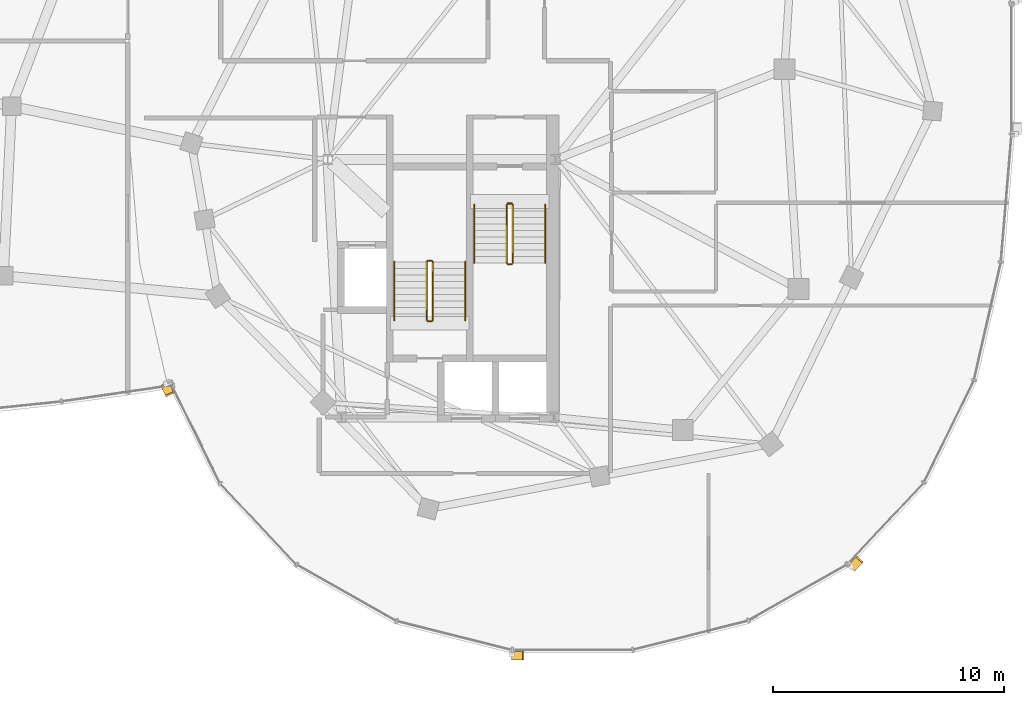
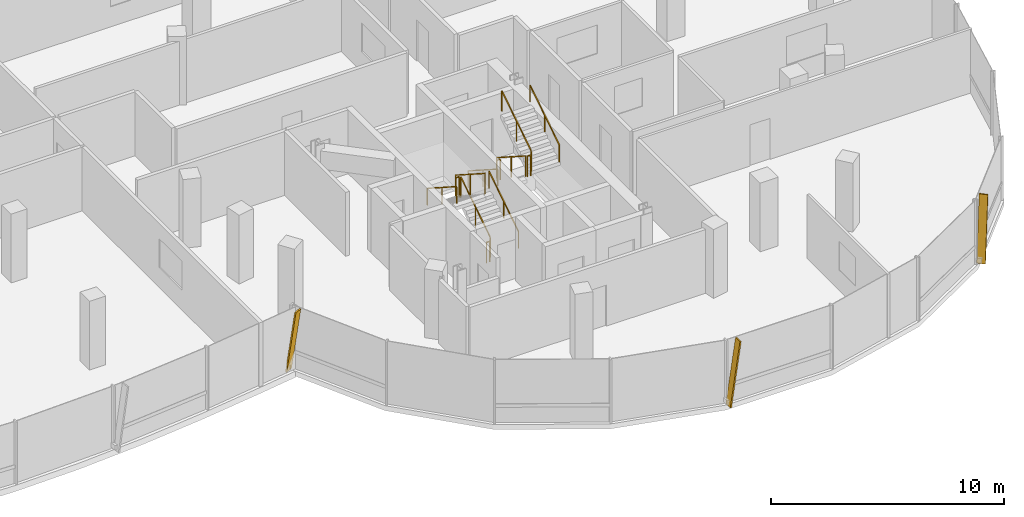
# One storey, part 25 of 26: 12 railings, 3 shading devices.
"""IFC4 building model written with IfcOpenShell, lengths in metres."""

import ifcopenshell
import ifcopenshell.guid

model = None  # the IFC model being written
_history = None  # IfcOwnerHistory: only IFC2X3 demands one
_inside = {}  # id of a spatial element -> (the spatial element, [elements in it])
_under = {}  # id of a project, library or spatial element -> (it, [spatial elements below it])
_declared = {}  # id of a project -> (the project, [libraries it declares])
_typed = {}  # id of a type object -> (the type object, [elements of that type])
_made_of = {}  # id of a material, layer set ... -> (it, [elements and type objects made of it])


def new_model(schema):
    """Start an empty IFC model of exactly this schema.

    Asked for "IFC4X3", IfcOpenShell would pick the latest addendum, in which some entities
    have other attributes; the version numbers below select the first issue.
    IFC2X3 requires an IfcOwnerHistory on every rooted entity: one is made here for all.
    """
    global model, _history
    if schema == "IFC4X3":
        model = ifcopenshell.file(schema_version=(4, 3, 0, 0))
    else:
        model = ifcopenshell.file(schema=schema)
    _inside.clear()
    _under.clear()
    _declared.clear()
    _typed.clear()
    _made_of.clear()
    _history = None
    if model.schema == "IFC2X3":
        org = make("IfcOrganization", Name="unknown")
        user = make(
            "IfcPersonAndOrganization",
            ThePerson=make("IfcPerson", FamilyName="unknown"),
            TheOrganization=org,
        )
        app = make(
            "IfcApplication",
            ApplicationDeveloper=org,
            Version="unknown",
            ApplicationFullName="unknown",
            ApplicationIdentifier="unknown",
        )
        _history = make(
            "IfcOwnerHistory",
            OwningUser=user,
            OwningApplication=app,
            ChangeAction="ADDED",
            CreationDate=0,
        )
    return model


def make(cls, **values):
    """One entity of the class cls with the attributes given. An attribute that is None is left unset."""
    return model.create_entity(
        cls, **{name: value for name, value in values.items() if value is not None}
    )


def rooted(cls, **values):
    """An entity with a GlobalId (a new one), such as an element, a storey or a relation."""
    return make(cls, GlobalId=ifcopenshell.guid.new(), OwnerHistory=_history, **values)


def si_unit(unit_type, name, prefix=None):
    """IfcSIUnit, for example si_unit("LENGTHUNIT", "METRE", prefix="MILLI")."""
    return make("IfcSIUnit", UnitType=unit_type, Prefix=prefix, Name=name)


def assignment(units):
    """IfcUnitAssignment: the units of a project."""
    return None if units is None else make("IfcUnitAssignment", Units=units)


def point(xyz):
    """IfcCartesianPoint."""
    return None if xyz is None else make("IfcCartesianPoint", Coordinates=xyz)


def direction(xyz):
    """IfcDirection."""
    return None if xyz is None else make("IfcDirection", DirectionRatios=xyz)


def frame(location, z_axis=None, x_axis=None):
    """IfcAxis2Placement3D, a coordinate frame: its origin and axes. An axis left out is left unset."""
    return make(
        "IfcAxis2Placement3D",
        Location=point(location),
        Axis=direction(z_axis),
        RefDirection=direction(x_axis),
    )


def frame_2d(location, x_axis=None):
    """IfcAxis2Placement2D, a coordinate frame in the plane: its origin and x axis."""
    return make(
        "IfcAxis2Placement2D", Location=point(location), RefDirection=direction(x_axis)
    )


def origin():
    """The frame at (0, 0, 0) with its axes left unset."""
    return frame((0.0, 0.0, 0.0))


def origin_2d():
    """The frame at (0, 0) in the plane with its x axis left unset."""
    return frame_2d((0.0, 0.0))


def place(relative_to, where):
    """IfcLocalPlacement: puts the frame where relative to a parent placement (None: the world)."""
    return make(
        "IfcLocalPlacement", PlacementRelTo=relative_to, RelativePlacement=where
    )


def context(
    kind, dimensions, precision=None, world=None, true_north=None, identifier=None
):
    """IfcGeometricRepresentationContext, for example the 3D "Model" context."""
    return make(
        "IfcGeometricRepresentationContext",
        ContextIdentifier=identifier,
        ContextType=kind,
        CoordinateSpaceDimension=dimensions,
        Precision=precision,
        WorldCoordinateSystem=world,
        TrueNorth=true_north,
    )


def subcontext(parent, identifier, kind, view, scale=None):
    """IfcGeometricRepresentationSubContext, for example "Body" below "Model"."""
    return make(
        "IfcGeometricRepresentationSubContext",
        ContextIdentifier=identifier,
        ContextType=kind,
        ParentContext=parent,
        TargetScale=scale,
        TargetView=view,
    )


def project(units=None, contexts=None):
    """IfcProject with its units and contexts."""
    return rooted(
        "IfcProject",
        Name="project",
        RepresentationContexts=contexts,
        UnitsInContext=assignment(units),
    )


def spatial(cls, under=None, at=None, **own):
    """A site, building, storey or space (cls), placed at a placement, below another one or the project."""
    s = rooted(cls, ObjectPlacement=at, **own)
    if under is not None:
        _under.setdefault(under.id(), (under, []))[1].append(s)
    return s


def profile(cls, at=None, kind="AREA", **sizes):
    """A parametric profile (cls). Its sizes go by their IFC names, for example OverallWidth=200.0."""
    return make(cls, ProfileType=kind, Position=at, **sizes)


def rectangle(**sizes):
    """IfcRectangleProfileDef."""
    return profile("IfcRectangleProfileDef", **sizes)


def extrude(swept, where, along, depth):
    """IfcExtrudedAreaSolid: the profile swept, set in the frame where, extruded along a direction by depth."""
    return make(
        "IfcExtrudedAreaSolid",
        SweptArea=swept,
        Position=where,
        ExtrudedDirection=direction(along),
        Depth=depth,
    )


def shape(context_of_items, identifier, shape_type, items):
    """IfcShapeRepresentation: the items that make up one representation, for example the "Body"."""
    return make(
        "IfcShapeRepresentation",
        ContextOfItems=context_of_items,
        RepresentationIdentifier=identifier,
        RepresentationType=shape_type,
        Items=items,
    )


def material(Name=None, Category=None):
    """IfcMaterial."""
    return make("IfcMaterial", Name=Name, Category=Category)


def material_profile(
    of_material, cross_section, Name=None, Category=None, Priority=None
):
    """IfcMaterialProfile: a cross section and its material."""
    return make(
        "IfcMaterialProfile",
        Name=Name,
        Material=of_material,
        Profile=cross_section,
        Priority=Priority,
        Category=Category,
    )


def profile_set(profiles, Name=None, composite=None):
    """IfcMaterialProfileSet."""
    return make(
        "IfcMaterialProfileSet",
        Name=Name,
        MaterialProfiles=profiles,
        CompositeProfile=composite,
    )


def made_of(thing, what):
    """Note that an element or type object is made of a material, layer set ...; save() writes the relation."""
    if what is not None:
        _made_of.setdefault(what.id(), (what, []))[1].append(thing)
    return thing


def type_object(cls, material=None, **own):
    """A type object (cls), such as IfcWallType, which elements share."""
    return made_of(rooted(cls, **own), material)


def element(
    cls,
    number,
    at=None,
    inside=None,
    cuts=None,
    type_object=None,
    material=None,
    context=None,
    identifier="Body",
    shape_type=None,
    held_by="IfcProductDefinitionShape",
    body=None,
    shapes=None,
    **own,
):
    """One element of the class cls, such as IfcWall. Its Tag is "e" and its number.

    at: its placement. inside: the storey or other place that contains it. cuts: it is an
    opening in that element (IfcRelVoidsElement). A single representation is given by context,
    identifier, shape_type and body (its items); several are given by shapes. held_by: the class
    of the entity that holds the representations. save() writes the other relations.
    """
    e = rooted(cls, Tag="e%d" % number, ObjectPlacement=at, **own)
    if body is not None:
        shapes = [shape(context, identifier, shape_type, body)]
    if shapes is not None:
        e.Representation = make(held_by, Representations=shapes)
    if inside is not None:
        _inside.setdefault(inside.id(), (inside, []))[1].append(e)
    if cuts is not None:
        rooted(
            "IfcRelVoidsElement", RelatingBuildingElement=cuts, RelatedOpeningElement=e
        )
    if type_object is not None:
        _typed.setdefault(type_object.id(), (type_object, []))[1].append(e)
    return made_of(e, material)


def aggregate(whole, parts):
    """IfcRelAggregates: a whole, such as a stair, and the parts it consists of."""
    return rooted("IfcRelAggregates", RelatingObject=whole, RelatedObjects=parts)


def save(model, path):
    """Write the relations noted so far, then the file.

    IfcRelAggregates (storeys below a building ...), IfcRelContainedInSpatialStructure (elements
    in a storey), IfcRelDefinesByType, IfcRelAssociatesMaterial and IfcRelDeclares: one each for
    every whole, place, type object, material and project.
    """
    for whole, parts in _under.values():
        aggregate(whole, parts)
    for where, things in _inside.values():
        rooted(
            "IfcRelContainedInSpatialStructure",
            RelatedElements=things,
            RelatingStructure=where,
        )
    for kind, things in _typed.values():
        rooted("IfcRelDefinesByType", RelatedObjects=things, RelatingType=kind)
    for what, things in _made_of.values():
        rooted("IfcRelAssociatesMaterial", RelatedObjects=things, RelatingMaterial=what)
    for by, libraries in _declared.values():
        rooted("IfcRelDeclares", RelatingContext=by, RelatedDefinitions=libraries)
    model.write(path)


model = new_model("IFC4")

# Units and contexts
model_context = context("Model", 3, precision=1e-05, world=origin(), true_north=direction((0.0, 1.0)))
body_context = subcontext(model_context, "Body", "Model", "MODEL_VIEW")
ifc_project = project(units=[si_unit("LENGTHUNIT", "METRE"), si_unit("AREAUNIT", "SQUARE_METRE"), si_unit("VOLUMEUNIT", "CUBIC_METRE"), si_unit("PLANEANGLEUNIT", "RADIAN"), si_unit("MASSUNIT", "GRAM", prefix="KILO"), si_unit("THERMODYNAMICTEMPERATUREUNIT", "KELVIN"), si_unit("POWERUNIT", "WATT")], contexts=[model_context])

# Site, building, storey
site_placement = place(None, origin())
site = spatial("IfcSite", under=ifc_project, at=site_placement, CompositionType="ELEMENT")
building_placement = place(site_placement, origin())
building = spatial("IfcBuilding", under=site, at=building_placement, Name="Cundina Bronze Exchange", CompositionType="ELEMENT")
storey_placement = place(building_placement, frame((0.0, 0.0, 243.199951171875)))
storey = spatial("IfcBuildingStorey", under=building, at=storey_placement, Name="L64", CompositionType="ELEMENT", Elevation=243.199951171875)

# Railings
ifc_material_1 = material(Name="Steel ASTM A36 Painted", Category="steel")
railing_type_1 = type_object("IfcRailingType", Name="RLG-HND-900", PredefinedType="HANDRAIL", material=ifc_material_1)
railing_1_placement = place(storey_placement, frame((27.7900390625, -5.85009765625, 0.179931640625)))
element("IfcRailing", 1, at=railing_1_placement, inside=storey, type_object=railing_type_1, Name="L64 ST-E1 stair handrail 1", PredefinedType="HANDRAIL", context=body_context, shape_type="SweptSolid", body=[
    extrude(rectangle(XDim=0.048095703125, YDim=0.048095703125, at=origin_2d()), frame((0.0, 0.0, 0.8759765625), z_axis=(0.0, -0.841162588446, 0.540782303519), x_axis=(1.0, 0.0, 0.0)), (0.0, 0.0, 1.0), 2.995849609375),
    extrude(rectangle(XDim=0.0419921875, YDim=0.0419921875, at=origin_2d()), origin(), (0.0, 0.0, 1.0), 0.851806640625),
    extrude(rectangle(XDim=0.0419921875, YDim=0.0419921875, at=origin_2d()), frame((0.0, -1.260009765625, 0.81005859375)), (0.0, 0.0, 1.0), 0.851806640625),
    extrude(rectangle(XDim=0.0419921875, YDim=0.0419921875, at=origin_2d()), frame((0.0, -2.52001953125, 1.6201171875)), (0.0, 0.0, 1.0), 0.851806640625),
])
for number, where, name in (
    (2, (30.85009765625, -8.3701171875, 1.97998046875), "L64 ST-E1 stair handrail 2"),
    (3, (27.389892578125, -10.85009765625, 0.179931640625), "L64 ST-E2 stair handrail 1"),
):
    element("IfcRailing", number, at=place(storey_placement, frame(where)), inside=storey, type_object=railing_type_1, Name=name, PredefinedType="HANDRAIL", context=body_context, shape_type="SweptSolid", body=[
        extrude(rectangle(XDim=0.048095703125, YDim=0.048095703125, at=origin_2d()), frame((0.0, 0.0, 0.8759765625), z_axis=(0.0, 0.841162588446, 0.540782303519), x_axis=(-1.0, 0.0, 0.0)), (0.0, 0.0, 1.0), 2.995849609375),
        extrude(rectangle(XDim=0.0419921875, YDim=0.0419921875, at=origin_2d()), origin(), (0.0, 0.0, 1.0), 0.851806640625),
        extrude(rectangle(XDim=0.0419921875, YDim=0.0419921875, at=origin_2d()), frame((0.0, 1.260009765625, 0.81005859375)), (0.0, 0.0, 1.0), 0.851806640625),
        extrude(rectangle(XDim=0.0419921875, YDim=0.0419921875, at=origin_2d()), frame((0.0, 2.52001953125, 1.6201171875)), (0.0, 0.0, 1.0), 0.851806640625),
    ])
railing_2_placement = place(storey_placement, frame((24.330078125, -8.330078125, 1.97998046875)))
element("IfcRailing", 4, at=railing_2_placement, inside=storey, type_object=railing_type_1, Name="L64 ST-E2 stair handrail 2", PredefinedType="HANDRAIL", context=body_context, shape_type="SweptSolid", body=[
    extrude(rectangle(XDim=0.048095703125, YDim=0.048095703125, at=origin_2d()), frame((0.0, 0.0, 0.8759765625), z_axis=(0.0, -0.841162588446, 0.540782303519), x_axis=(1.0, 0.0, 0.0)), (0.0, 0.0, 1.0), 2.995849609375),
    extrude(rectangle(XDim=0.0419921875, YDim=0.0419921875, at=origin_2d()), origin(), (0.0, 0.0, 1.0), 0.851806640625),
    extrude(rectangle(XDim=0.0419921875, YDim=0.0419921875, at=origin_2d()), frame((0.0, -1.260009765625, 0.81005859375)), (0.0, 0.0, 1.0), 0.851806640625),
    extrude(rectangle(XDim=0.0419921875, YDim=0.0419921875, at=origin_2d()), frame((0.0, -2.52001953125, 1.6201171875)), (0.0, 0.0, 1.0), 0.851806640625),
])
railing_type_2 = type_object("IfcRailingType", Name="RLG-STG-1100", PredefinedType="GUARDRAIL", material=ifc_material_1)
railing_3_placement = place(storey_placement, frame((29.18994140625, -5.85009765625, 0.179931640625)))
element("IfcRailing", 5, at=railing_3_placement, inside=storey, type_object=railing_type_2, Name="L64 ST-E1 stair guard 1", PredefinedType="GUARDRAIL", context=body_context, shape_type="SweptSolid", body=[
    extrude(rectangle(XDim=0.048095703125, YDim=0.048095703125, at=origin_2d()), frame((0.0, 0.0, 1.076171875), z_axis=(0.0, -0.841162588446, 0.540782303519), x_axis=(1.0, 0.0, 0.0)), (0.0, 0.0, 1.0), 2.995849609375),
    extrude(rectangle(XDim=0.0419921875, YDim=0.0419921875, at=origin_2d()), origin(), (0.0, 0.0, 1.0), 1.052001953125),
    extrude(rectangle(XDim=0.0419921875, YDim=0.0419921875, at=origin_2d()), frame((0.0, -1.260009765625, 0.81005859375)), (0.0, 0.0, 1.0), 1.052001953125),
    extrude(rectangle(XDim=0.0419921875, YDim=0.0419921875, at=origin_2d()), frame((0.0, -2.52001953125, 1.6201171875)), (0.0, 0.0, 1.0), 1.052001953125),
])
railing_4_placement = place(storey_placement, frame((29.239990234375, -8.419921875, 1.800048828125)))
element("IfcRailing", 6, at=railing_4_placement, inside=storey, type_object=railing_type_2, Name="L64 ST-E1 stair guard 2", PredefinedType="GUARDRAIL", context=body_context, shape_type="SweptSolid", body=[
    extrude(rectangle(XDim=0.048095703125, YDim=0.048095703125, at=origin_2d()), frame((0.0, 0.0, 1.076171875), z_axis=(1.0, 0.0, 0.0), x_axis=(0.0, 1.0, 0.0)), (0.0, 0.0, 1.0), 0.159912109375),
    extrude(rectangle(XDim=0.0419921875, YDim=0.0419921875, at=origin_2d()), origin(), (0.0, 0.0, 1.0), 1.052001953125),
    extrude(rectangle(XDim=0.0419921875, YDim=0.0419921875, at=origin_2d()), frame((0.159912109375, 0.0, 0.0)), (0.0, 0.0, 1.0), 1.052001953125),
])
railing_5_placement = place(storey_placement, frame((29.449951171875, -8.3701171875, 1.97998046875)))
element("IfcRailing", 7, at=railing_5_placement, inside=storey, type_object=railing_type_2, Name="L64 ST-E1 stair guard 3", PredefinedType="GUARDRAIL", context=body_context, shape_type="SweptSolid", body=[
    extrude(rectangle(XDim=0.048095703125, YDim=0.048095703125, at=origin_2d()), frame((0.0, 0.0, 1.076171875), z_axis=(0.0, 0.841162588446, 0.540782303519), x_axis=(-1.0, 0.0, 0.0)), (0.0, 0.0, 1.0), 2.995849609375),
    extrude(rectangle(XDim=0.0419921875, YDim=0.0419921875, at=origin_2d()), origin(), (0.0, 0.0, 1.0), 1.052001953125),
    extrude(rectangle(XDim=0.0419921875, YDim=0.0419921875, at=origin_2d()), frame((0.0, 1.260009765625, 0.81005859375)), (0.0, 0.0, 1.0), 1.052001953125),
    extrude(rectangle(XDim=0.0419921875, YDim=0.0419921875, at=origin_2d()), frame((0.0, 2.52001953125, 1.6201171875)), (0.0, 0.0, 1.0), 1.052001953125),
])
railing_6_placement = place(storey_placement, frame((29.239990234375, -5.800048828125, 0.0)))
element("IfcRailing", 8, at=railing_6_placement, inside=storey, type_object=railing_type_2, Name="L64 ST-E1 stair guard 4", PredefinedType="GUARDRAIL", context=body_context, shape_type="SweptSolid", body=[
    extrude(rectangle(XDim=0.048095703125, YDim=0.048095703125, at=origin_2d()), frame((0.0, 0.0, 1.076171875), z_axis=(1.0, 0.0, 0.0), x_axis=(0.0, 1.0, 0.0)), (0.0, 0.0, 1.0), 0.159912109375),
    extrude(rectangle(XDim=0.0419921875, YDim=0.0419921875, at=origin_2d()), origin(), (0.0, 0.0, 1.0), 1.052001953125),
    extrude(rectangle(XDim=0.0419921875, YDim=0.0419921875, at=origin_2d()), frame((0.159912109375, 0.0, 0.0)), (0.0, 0.0, 1.0), 1.052001953125),
])
railing_7_placement = place(storey_placement, frame((25.989990234375, -10.85009765625, 0.179931640625)))
element("IfcRailing", 9, at=railing_7_placement, inside=storey, type_object=railing_type_2, Name="L64 ST-E2 stair guard 1", PredefinedType="GUARDRAIL", context=body_context, shape_type="SweptSolid", body=[
    extrude(rectangle(XDim=0.048095703125, YDim=0.048095703125, at=origin_2d()), frame((0.0, 0.0, 1.076171875), z_axis=(0.0, 0.841162588446, 0.540782303519), x_axis=(-1.0, 0.0, 0.0)), (0.0, 0.0, 1.0), 2.995849609375),
    extrude(rectangle(XDim=0.0419921875, YDim=0.0419921875, at=origin_2d()), origin(), (0.0, 0.0, 1.0), 1.052001953125),
    extrude(rectangle(XDim=0.0419921875, YDim=0.0419921875, at=origin_2d()), frame((0.0, 1.260009765625, 0.81005859375)), (0.0, 0.0, 1.0), 1.052001953125),
    extrude(rectangle(XDim=0.0419921875, YDim=0.0419921875, at=origin_2d()), frame((0.0, 2.52001953125, 1.6201171875)), (0.0, 0.0, 1.0), 1.052001953125),
])
railing_8_placement = place(storey_placement, frame((25.93994140625, -8.280029296875, 1.800048828125)))
element("IfcRailing", 10, at=railing_8_placement, inside=storey, type_object=railing_type_2, Name="L64 ST-E2 stair guard 2", PredefinedType="GUARDRAIL", context=body_context, shape_type="SweptSolid", body=[
    extrude(rectangle(XDim=0.048095703125, YDim=0.048095703125, at=origin_2d()), frame((0.0, 0.0, 1.076171875), z_axis=(-1.0, 0.0, 0.0), x_axis=(0.0, -1.0, 0.0)), (0.0, 0.0, 1.0), 0.159912109375),
    extrude(rectangle(XDim=0.0419921875, YDim=0.0419921875, at=origin_2d()), origin(), (0.0, 0.0, 1.0), 1.052001953125),
    extrude(rectangle(XDim=0.0419921875, YDim=0.0419921875, at=origin_2d()), frame((-0.159912109375, 0.0, 0.0)), (0.0, 0.0, 1.0), 1.052001953125),
])
railing_9_placement = place(storey_placement, frame((25.72998046875, -8.330078125, 1.97998046875)))
element("IfcRailing", 11, at=railing_9_placement, inside=storey, type_object=railing_type_2, Name="L64 ST-E2 stair guard 3", PredefinedType="GUARDRAIL", context=body_context, shape_type="SweptSolid", body=[
    extrude(rectangle(XDim=0.048095703125, YDim=0.048095703125, at=origin_2d()), frame((0.0, 0.0, 1.076171875), z_axis=(0.0, -0.841162588446, 0.540782303519), x_axis=(1.0, 0.0, 0.0)), (0.0, 0.0, 1.0), 2.995849609375),
    extrude(rectangle(XDim=0.0419921875, YDim=0.0419921875, at=origin_2d()), origin(), (0.0, 0.0, 1.0), 1.052001953125),
    extrude(rectangle(XDim=0.0419921875, YDim=0.0419921875, at=origin_2d()), frame((0.0, -1.260009765625, 0.81005859375)), (0.0, 0.0, 1.0), 1.052001953125),
    extrude(rectangle(XDim=0.0419921875, YDim=0.0419921875, at=origin_2d()), frame((0.0, -2.52001953125, 1.6201171875)), (0.0, 0.0, 1.0), 1.052001953125),
])
railing_10_placement = place(storey_placement, frame((25.93994140625, -10.89990234375, 0.0)))
element("IfcRailing", 12, at=railing_10_placement, inside=storey, type_object=railing_type_2, Name="L64 ST-E2 stair guard 4", PredefinedType="GUARDRAIL", context=body_context, shape_type="SweptSolid", body=[
    extrude(rectangle(XDim=0.048095703125, YDim=0.048095703125, at=origin_2d()), frame((0.0, 0.0, 1.076171875), z_axis=(-1.0, 0.0, 0.0), x_axis=(0.0, -1.0, 0.0)), (0.0, 0.0, 1.0), 0.159912109375),
    extrude(rectangle(XDim=0.0419921875, YDim=0.0419921875, at=origin_2d()), origin(), (0.0, 0.0, 1.0), 1.052001953125),
    extrude(rectangle(XDim=0.0419921875, YDim=0.0419921875, at=origin_2d()), frame((-0.159912109375, 0.0, 0.0)), (0.0, 0.0, 1.0), 1.052001953125),
])

# Shading devices
ifc_material_2 = material(Name="Anodised Bronze Aluminium 6063-T6", Category="aluminium")
ifc_material_profile = material_profile(ifc_material_2, rectangle(XDim=0.070068359375, YDim=0.3798828125, at=origin_2d()), Name="FIN70X380", Category="aluminium")
ifc_profile_set = profile_set([ifc_material_profile], Name="Anodised Bronze Aluminium 6063-T6")
shading_device_type = type_object("IfcShadingDeviceType", Name="SHD-FIN-BRZ380", PredefinedType="USERDEFINED", material=ifc_profile_set)
for number, where, z_axis, x_axis, name in (
    (13, (14.406494140625, -13.614013671875, 0.02001953125), (0.063400368732, -0.129216686851, 0.989587510574), (-0.435900311632, 0.888411143223, 0.143932480407), "L64 Diagonal Bronze Solar Fin 1"),
    (14, (29.423583984375, -25.360107421875, 0.02001953125), (0.143932024572, 0.0, 0.989587576874), (-0.989587576874, 0.0, 0.143932024572), "L64 Diagonal Bronze Solar Fin 5"),
    (15, (44.122314453125, -21.55078125, 0.02001953125), (0.098541444371, 0.10491076507, 0.989587446926), (-0.677505727677, -0.721296959704, 0.143932918008), "L64 Diagonal Bronze Solar Fin 1"),
):
    element("IfcShadingDevice", number, at=place(storey_placement, frame(where, z_axis=z_axis, x_axis=x_axis)), inside=storey, type_object=shading_device_type, Name=name, ObjectType="FIN", PredefinedType="USERDEFINED", context=body_context, shape_type="SweptSolid", body=[
        extrude(rectangle(XDim=0.070068359375, YDim=0.3798828125, at=origin_2d()), origin(), (0.0, 0.0, 1.0), 3.334716796875),
    ])

save(model, "model.ifc")
